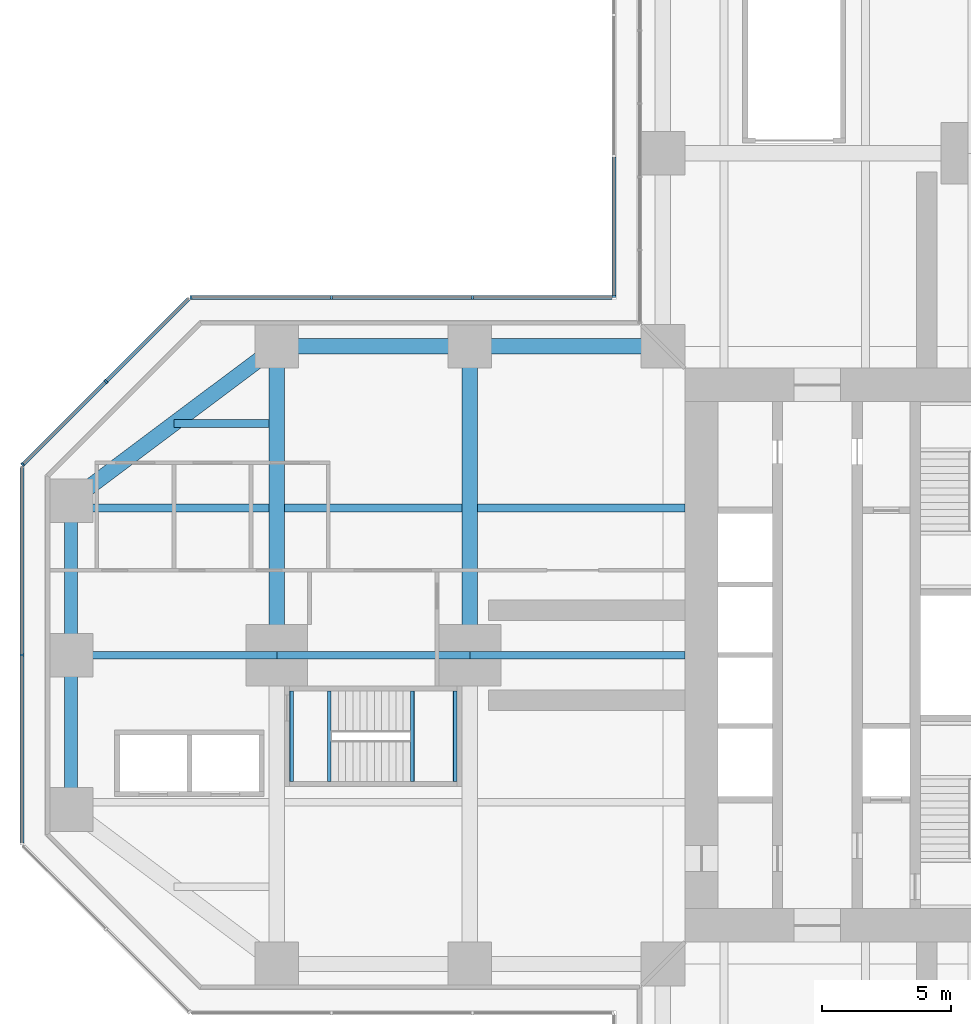
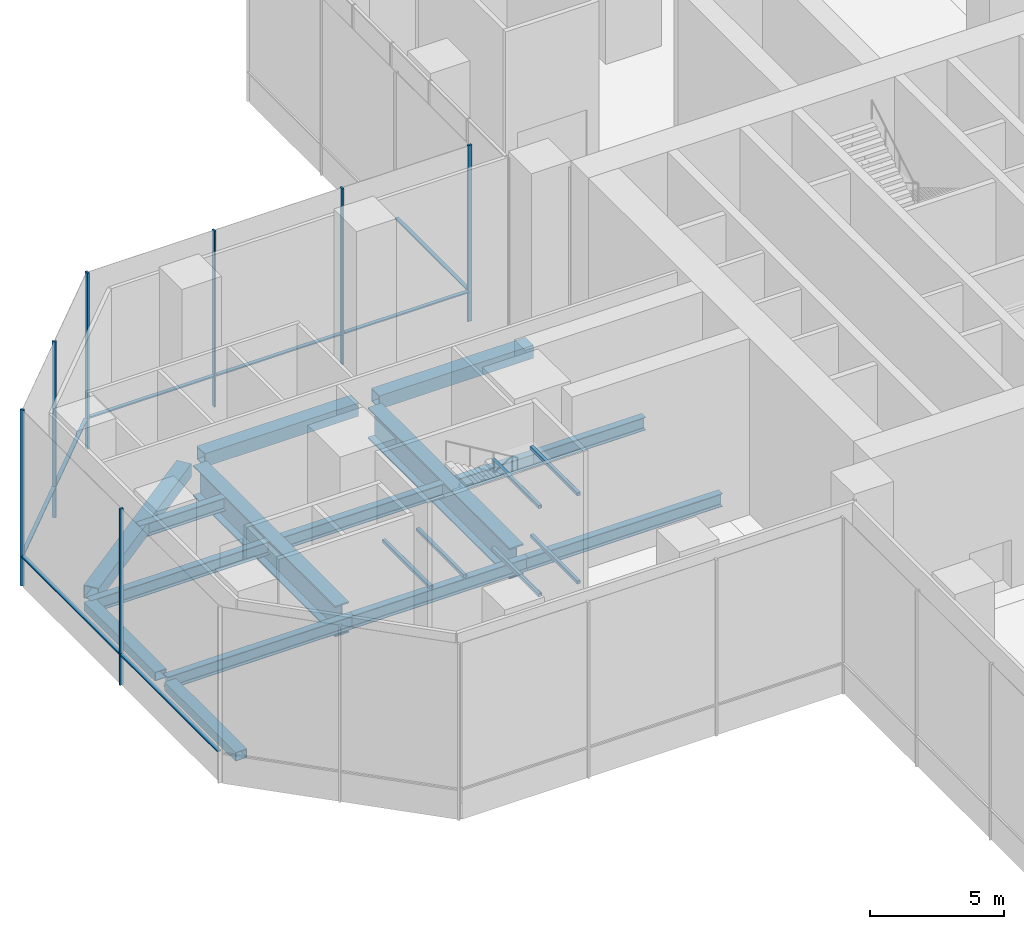
# One storey, part 7 of 25: 20 beams, 15 members, 4 elements without a shape of their own.
"""IFC4 building model written with IfcOpenShell, lengths in metres."""

from ifc_helpers import new_model, si_unit, direction, frame, origin, origin_2d, place, context, subcontext, project, spatial, rectangle, hollow_rectangle, i_section, extrude, material, material_profile, profile_set, type_object, element, aggregate, save


model = new_model("IFC4")

# Units and contexts
model_context = context("Model", 3, precision=1e-05, world=origin(), true_north=direction((0.0, 1.0)))
body_context = subcontext(model_context, "Body", "Model", "MODEL_VIEW")
ifc_project = project(units=[si_unit("LENGTHUNIT", "METRE"), si_unit("AREAUNIT", "SQUARE_METRE"), si_unit("VOLUMEUNIT", "CUBIC_METRE"), si_unit("PLANEANGLEUNIT", "RADIAN"), si_unit("MASSUNIT", "GRAM", prefix="KILO")], contexts=[model_context])

# Site, building, storey
site_placement = place(None, origin())
site = spatial("IfcSite", under=ifc_project, at=site_placement, CompositionType="ELEMENT")
building_placement = place(site_placement, origin())
building = spatial("IfcBuilding", under=site, at=building_placement, Name="Mizan Broadcast Tower", CompositionType="ELEMENT")
storey_placement = place(building_placement, frame((0.0, 0.0, 15.0)))
storey = spatial("IfcBuildingStorey", under=building, at=storey_placement, Name="L02", CompositionType="ELEMENT", Elevation=15.0)

# Beams
ifc_material_1 = material(Name="Steel S355", Category="steel")
ifc_material_profile_1 = material_profile(ifc_material_1, hollow_rectangle(XDim=0.5, YDim=0.39990234375, WallThickness=0.02490234375, at=origin_2d()), Name="BOX 400x500x25")
ifc_profile_set_1 = profile_set([ifc_material_profile_1], Name="Steel S355")
beam_type_1 = type_object("IfcBeamType", Name="EDGE BEAM BOX 400x500x25", PredefinedType="SPANDREL", material=ifc_profile_set_1)
for number, where, z_axis, x_axis, name in (
    (1, (-35.0, 5.639892578125, -0.449951171875), (0.0, -1.0, 0.0), (1.0, 0.0, 0.0), "Edge beam BOX 400x500x25 L02 west arm"),
    (2, (-35.0, -5.639892578125, -0.449951171875), (0.0, 1.0, 0.0), (-1.0, 0.0, 0.0), "Edge beam BOX 400x500x25 L02 west arm"),
):
    element("IfcBeam", number, at=place(storey_placement, frame(where, z_axis=z_axis, x_axis=x_axis)), inside=storey, type_object=beam_type_1, Name=name, PredefinedType="SPANDREL", context=body_context, shape_type="SweptSolid", body=[
        extrude(hollow_rectangle(XDim=0.5, YDim=0.39990234375, WallThickness=0.02490234375, at=origin_2d()), origin(), (0.0, 0.0, 1.0), 5.27978515625),
    ])
ifc_material_2 = material(Name="Steel S355", Category="steel")
ifc_material_profile_2 = material_profile(ifc_material_2, hollow_rectangle(XDim=0.60009765625, YDim=0.60009765625, WallThickness=0.030029296875, at=origin_2d()), Name="BOX 600x600x30")
ifc_profile_set_2 = profile_set([ifc_material_profile_2], Name="Steel S355")
beam_type_2 = type_object("IfcBeamType", Name="EDGE BEAM BOX 600x600x30", PredefinedType="SPANDREL", material=ifc_profile_set_2)
beam_1_placement = place(storey_placement, frame((-27.47998046875, 11.639892578125, -0.550048828125), z_axis=(-0.800013316712, -0.599982243973, 0.0), x_axis=(0.599982243973, -0.800013316712, 0.0)))
element("IfcBeam", 3, at=beam_1_placement, inside=storey, type_object=beam_type_2, Name="Edge beam BOX 600x600x30 L02 west arm", PredefinedType="SPANDREL", context=body_context, shape_type="SweptSolid", body=[
    extrude(hollow_rectangle(XDim=0.60009765625, YDim=0.60009765625, WallThickness=0.030029296875, at=origin_2d()), origin(), (0.0, 0.0, 1.0), 8.7998046875),
])
ifc_material_3 = material(Name="Steel S355", Category="steel")
ifc_material_profile_3 = material_profile(ifc_material_3, hollow_rectangle(XDim=0.60009765625, YDim=0.60009765625, WallThickness=0.0400390625, at=origin_2d()), Name="BOX 600x600x40")
ifc_profile_set_3 = profile_set([ifc_material_profile_3], Name="Steel S355")
beam_type_3 = type_object("IfcBeamType", Name="EDGE BEAM BOX 600x600x40", PredefinedType="SPANDREL", material=ifc_profile_set_3)
for number, where, z_axis, x_axis, name in (
    (4, (-12.449951171875, 12.0, -0.550048828125), (-1.0, 0.0, 0.0), (0.0, -1.0, 0.0), "Edge beam BOX 600x600x40 L02 west arm"),
    (5, (-19.949951171875, 12.0, -0.550048828125), (-1.0, 0.0, 0.0), (0.0, -1.0, 0.0), "Edge beam BOX 600x600x40 L02 west arm"),
):
    element("IfcBeam", number, at=place(storey_placement, frame(where, z_axis=z_axis, x_axis=x_axis)), inside=storey, type_object=beam_type_3, Name=name, PredefinedType="SPANDREL", context=body_context, shape_type="SweptSolid", body=[
        extrude(hollow_rectangle(XDim=0.60009765625, YDim=0.60009765625, WallThickness=0.0400390625, at=origin_2d()), origin(), (0.0, 0.0, 1.0), 6.60009765625),
    ])
ifc_material_4 = material(Name="Steel S460", Category="steel")
ifc_material_profile_4 = material_profile(ifc_material_4, i_section(OverallWidth=0.60009765625, OverallDepth=1.39990234375, WebThickness=0.02490234375, FlangeThickness=0.06005859375, at=origin_2d()), Name="WPG 1400x600")
ifc_profile_set_4 = profile_set([ifc_material_profile_4], Name="Steel S460")
beam_type_4 = type_object("IfcBeamType", Name="GIRDER WPG 1400x600", PredefinedType="BEAM", material=ifc_profile_set_4)
for number, where, z_axis, x_axis, name in (
    (6, (-19.5, 11.280029296875, -0.949951171875), (0.0, -1.0, 0.0), (1.0, 0.0, 0.0), "Girder WPG 1400x600 L02 west arm"),
    (7, (-27.0, 11.280029296875, -0.949951171875), (0.0, -1.0, 0.0), (1.0, 0.0, 0.0), "Girder WPG 1400x600 L02 west arm"),
):
    element("IfcBeam", number, at=place(storey_placement, frame(where, z_axis=z_axis, x_axis=x_axis)), inside=storey, type_object=beam_type_4, Name=name, PredefinedType="BEAM", context=body_context, shape_type="SweptSolid", body=[
        extrude(i_section(OverallWidth=0.60009765625, OverallDepth=1.39990234375, WebThickness=0.02490234375, FlangeThickness=0.06005859375, at=origin_2d()), origin(), (0.0, 0.0, 1.0), 10.56005859375),
    ])
ifc_material_5 = material(Name="Steel S355", Category="steel")
ifc_material_profile_5 = material_profile(ifc_material_5, hollow_rectangle(XDim=0.14990234375, YDim=0.14990234375, WallThickness=0.008056640625, InnerFilletRadius=0.008056640625, OuterFilletRadius=0.011962890625, at=origin_2d()), Name="SHS 150x150x8")
ifc_profile_set_5 = profile_set([ifc_material_profile_5], Name="Steel S355")
beam_type_5 = type_object("IfcBeamType", Name="LANDING TRIMMER SHS 150x150x8", PredefinedType="BEAM", material=ifc_profile_set_5)
for number, where, z_axis, x_axis, name in (
    (8, (-21.735107421875, -1.39990234375, 1.72509765625), (0.0, -1.0, 0.0), (1.0, 0.0, 0.0), "Stair D landing trimmer L02"),
    (9, (-20.074951171875, -1.39990234375, 1.72509765625), (0.0, -1.0, 0.0), (1.0, 0.0, 0.0), "Stair D landing trimmer L02"),
    (10, (-26.425048828125, -1.39990234375, 3.72509765625), (0.0, -1.0, 0.0), (1.0, 0.0, 0.0), "Stair D landing trimmer L02"),
    (11, (-24.965087890625, -1.39990234375, 3.72509765625), (0.0, -1.0, 0.0), (1.0, 0.0, 0.0), "Stair D landing trimmer L02"),
    (12, (-21.735107421875, -1.39990234375, 5.72509765625), (0.0, -1.0, 0.0), (1.0, 0.0, 0.0), "Stair D landing trimmer L02"),
    (13, (-20.074951171875, -1.39990234375, 5.72509765625), (0.0, -1.0, 0.0), (1.0, 0.0, 0.0), "Stair D landing trimmer L02"),
):
    element("IfcBeam", number, at=place(storey_placement, frame(where, z_axis=z_axis, x_axis=x_axis)), inside=storey, type_object=beam_type_5, Name=name, PredefinedType="BEAM", context=body_context, shape_type="SweptSolid", body=[
        extrude(hollow_rectangle(XDim=0.14990234375, YDim=0.14990234375, WallThickness=0.008056640625, InnerFilletRadius=0.008056640625, OuterFilletRadius=0.011962890625, at=origin_2d()), origin(), (0.0, 0.0, 1.0), 3.5),
    ])

# Curtain wall, member
ifc_material_6 = material(Name="Aluminium framed glazing", Category="aluminium")
curtain_wall_type = type_object("IfcCurtainWallType", Name="OUTER SKIN", PredefinedType="USERDEFINED", material=ifc_material_6)
curtain_wall_1_placement = place(storey_placement, origin())
curtain_wall_1 = element("IfcCurtainWall", 14, at=curtain_wall_1_placement, inside=storey, type_object=curtain_wall_type, Name="Outer skin L02 N side", ObjectType="OUTER SKIN", PredefinedType="USERDEFINED")
ifc_material_7 = material(Name="Aluminium, pale anodised", Category="aluminium")
ifc_material_profile_6 = material_profile(ifc_material_7, rectangle(XDim=0.159912109375, YDim=0.080078125, at=origin_2d()), Name="MULLION 160x80")
ifc_profile_set_6 = profile_set([ifc_material_profile_6], Name="Aluminium, pale anodised")
member_type_1 = type_object("IfcMemberType", Name="OUTER SKIN MULLION 80x160", PredefinedType="MULLION", material=ifc_profile_set_6)
member_1_placement = place(storey_placement, frame((-13.89990234375, 13.93994140625, 0.0), z_axis=(0.0, 0.0, 1.0), x_axis=(1.0, 0.0, 0.0)))
member_1 = element("IfcMember", 15, at=member_1_placement, type_object=member_type_1, Name="Outer skin L02 N side mullion 4", PredefinedType="MULLION", context=body_context, shape_type="SweptSolid", body=[
    extrude(rectangle(XDim=0.159912109375, YDim=0.080078125, at=origin_2d()), origin(), (0.0, 0.0, 1.0), 8.0),
])

# Curtain wall, members
curtain_wall_2_placement = place(storey_placement, origin())
curtain_wall_2 = element("IfcCurtainWall", 16, at=curtain_wall_2_placement, inside=storey, type_object=curtain_wall_type, Name="Outer skin L02 W side", ObjectType="OUTER SKIN", PredefinedType="USERDEFINED")
member_2_placement = place(storey_placement, frame((-19.390869140625, 13.89990234375, 0.0), z_axis=(0.0, 0.0, 1.0), x_axis=(0.0, -1.0, 0.0)))
member_2 = element("IfcMember", 17, at=member_2_placement, type_object=member_type_1, Name="Outer skin L02 W side mullion 2", PredefinedType="MULLION", context=body_context, shape_type="SweptSolid", body=[
    extrude(rectangle(XDim=0.159912109375, YDim=0.080078125, at=origin_2d()), origin(), (0.0, 0.0, 1.0), 8.0),
])
member_3_placement = place(storey_placement, frame((-24.8818359375, 13.89990234375, 0.0), z_axis=(0.0, 0.0, 1.0), x_axis=(0.0, -1.0, 0.0)))
member_3 = element("IfcMember", 18, at=member_3_placement, type_object=member_type_1, Name="Outer skin L02 W side mullion 3", PredefinedType="MULLION", context=body_context, shape_type="SweptSolid", body=[
    extrude(rectangle(XDim=0.159912109375, YDim=0.080078125, at=origin_2d()), origin(), (0.0, 0.0, 1.0), 8.0),
])
member_4_placement = place(storey_placement, frame((-30.332763671875, 13.89990234375, 0.0), z_axis=(0.0, 0.0, 1.0), x_axis=(0.0, -1.0, 0.0)))
member_4 = element("IfcMember", 19, at=member_4_placement, type_object=member_type_1, Name="Outer skin L02 W side mullion 4", PredefinedType="MULLION", context=body_context, shape_type="SweptSolid", body=[
    extrude(rectangle(XDim=0.159912109375, YDim=0.080078125, at=origin_2d()), origin(), (0.0, 0.0, 1.0), 8.0),
])

curtain_wall_3_placement = place(storey_placement, origin())
curtain_wall_3 = element("IfcCurtainWall", 20, at=curtain_wall_3_placement, inside=storey, type_object=curtain_wall_type, Name="Outer skin L02 W chamfer", ObjectType="OUTER SKIN", PredefinedType="USERDEFINED")
member_5_placement = place(storey_placement, frame((-33.636474609375, 10.636474609375, 0.0), z_axis=(0.0, 0.0, 1.0), x_axis=(0.707106781187, -0.707106781187, 0.0)))
member_5 = element("IfcMember", 21, at=member_5_placement, type_object=member_type_1, Name="Outer skin L02 W chamfer mullion 2", PredefinedType="MULLION", context=body_context, shape_type="SweptSolid", body=[
    extrude(rectangle(XDim=0.159912109375, YDim=0.080078125, at=origin_2d()), origin(), (0.0, 0.0, 1.0), 8.0),
])
member_6_placement = place(storey_placement, frame((-36.871826171875, 7.401123046875, 0.0), z_axis=(0.0, 0.0, 1.0), x_axis=(0.707106781187, -0.707106781187, 0.0)))
member_6 = element("IfcMember", 22, at=member_6_placement, type_object=member_type_1, Name="Outer skin L02 W chamfer mullion 3", PredefinedType="MULLION", context=body_context, shape_type="SweptSolid", body=[
    extrude(rectangle(XDim=0.159912109375, YDim=0.080078125, at=origin_2d()), origin(), (0.0, 0.0, 1.0), 8.0),
])

# Curtain wall, member
curtain_wall_4_placement = place(storey_placement, origin())
curtain_wall_4 = element("IfcCurtainWall", 23, at=curtain_wall_4_placement, inside=storey, type_object=curtain_wall_type, Name="Outer skin L02 W end", ObjectType="OUTER SKIN", PredefinedType="USERDEFINED")
member_7_placement = place(storey_placement, frame((-36.89990234375, 0.0, 0.0), z_axis=(0.0, 0.0, 1.0), x_axis=(1.0, 0.0, 0.0)))
member_7 = element("IfcMember", 24, at=member_7_placement, type_object=member_type_1, Name="Outer skin L02 W end mullion 2", PredefinedType="MULLION", context=body_context, shape_type="SweptSolid", body=[
    extrude(rectangle(XDim=0.159912109375, YDim=0.080078125, at=origin_2d()), origin(), (0.0, 0.0, 1.0), 8.0),
])

# Member
ifc_material_8 = material(Name="Aluminium, pale anodised", Category="aluminium")
ifc_material_profile_7 = material_profile(ifc_material_8, rectangle(XDim=0.159912109375, YDim=0.06005859375, at=origin_2d()), Name="TRANSOM 160x60")
ifc_profile_set_7 = profile_set([ifc_material_profile_7], Name="Aluminium, pale anodised")
member_type_2 = type_object("IfcMemberType", Name="OUTER SKIN TRANSOM 60x160", PredefinedType="USERDEFINED", material=ifc_profile_set_7)
member_8_placement = place(storey_placement, frame((-13.89990234375, 19.350830078125, 1.39990234375), z_axis=(0.0, -1.0, 0.0), x_axis=(1.0, 0.0, 0.0)))
member_8 = element("IfcMember", 25, at=member_8_placement, type_object=member_type_2, Name="Outer skin L02 N side transom 3.1", ObjectType="TRANSOM", PredefinedType="USERDEFINED", context=body_context, shape_type="SweptSolid", body=[
    extrude(rectangle(XDim=0.159912109375, YDim=0.06005859375, at=origin_2d()), origin(), (0.0, 0.0, 1.0), 5.370849609375),
])

aggregate(curtain_wall_1, [member_1, member_8])

member_9_placement = place(storey_placement, frame((-13.97998046875, 13.89990234375, 1.39990234375), z_axis=(-1.0, 0.0, 0.0), x_axis=(0.0, -1.0, 0.0)))
member_9 = element("IfcMember", 26, at=member_9_placement, type_object=member_type_2, Name="Outer skin L02 W side transom 1.1", ObjectType="TRANSOM", PredefinedType="USERDEFINED", context=body_context, shape_type="SweptSolid", body=[
    extrude(rectangle(XDim=0.159912109375, YDim=0.06005859375, at=origin_2d()), origin(), (0.0, 0.0, 1.0), 5.370849609375),
])

member_10_placement = place(storey_placement, frame((-19.430908203125, 13.89990234375, 1.39990234375), z_axis=(-1.0, 0.0, 0.0), x_axis=(0.0, -1.0, 0.0)))
member_10 = element("IfcMember", 27, at=member_10_placement, type_object=member_type_2, Name="Outer skin L02 W side transom 2.1", ObjectType="TRANSOM", PredefinedType="USERDEFINED", context=body_context, shape_type="SweptSolid", body=[
    extrude(rectangle(XDim=0.159912109375, YDim=0.06005859375, at=origin_2d()), origin(), (0.0, 0.0, 1.0), 5.410888671875),
])

member_11_placement = place(storey_placement, frame((-24.921875, 13.89990234375, 1.39990234375), z_axis=(-1.0, 0.0, 0.0), x_axis=(0.0, -1.0, 0.0)))
member_11 = element("IfcMember", 28, at=member_11_placement, type_object=member_type_2, Name="Outer skin L02 W side transom 3.1", ObjectType="TRANSOM", PredefinedType="USERDEFINED", context=body_context, shape_type="SweptSolid", body=[
    extrude(rectangle(XDim=0.159912109375, YDim=0.06005859375, at=origin_2d()), origin(), (0.0, 0.0, 1.0), 5.370849609375),
])

aggregate(curtain_wall_2, [member_2, member_3, member_4, member_9, member_10, member_11])

member_12_placement = place(storey_placement, frame((-30.429443359375, 13.843505859375, 1.39990234375), z_axis=(-0.707106781187, -0.707106781187, 0.0), x_axis=(0.707106781187, -0.707106781187, 0.0)))
member_12 = element("IfcMember", 29, at=member_12_placement, type_object=member_type_2, Name="Outer skin L02 W chamfer transom 1.1", ObjectType="TRANSOM", PredefinedType="USERDEFINED", context=body_context, shape_type="SweptSolid", body=[
    extrude(rectangle(XDim=0.159912109375, YDim=0.06005859375, at=origin_2d()), origin(), (0.0, 0.0, 1.0), 4.495361328125),
])

member_13_placement = place(storey_placement, frame((-33.664794921875, 10.608154296875, 1.39990234375), z_axis=(-0.707106781187, -0.707106781187, 0.0), x_axis=(0.707106781187, -0.707106781187, 0.0)))
member_13 = element("IfcMember", 30, at=member_13_placement, type_object=member_type_2, Name="Outer skin L02 W chamfer transom 2.1", ObjectType="TRANSOM", PredefinedType="USERDEFINED", context=body_context, shape_type="SweptSolid", body=[
    extrude(rectangle(XDim=0.159912109375, YDim=0.06005859375, at=origin_2d()), origin(), (0.0, 0.0, 1.0), 4.495361328125),
])

aggregate(curtain_wall_3, [member_5, member_6, member_12, member_13])

member_14_placement = place(storey_placement, frame((-36.89990234375, 7.292724609375, 1.39990234375), z_axis=(0.0, -1.0, 0.0), x_axis=(1.0, 0.0, 0.0)))
member_14 = element("IfcMember", 31, at=member_14_placement, type_object=member_type_2, Name="Outer skin L02 W end transom 1.1", ObjectType="TRANSOM", PredefinedType="USERDEFINED", context=body_context, shape_type="SweptSolid", body=[
    extrude(rectangle(XDim=0.159912109375, YDim=0.06005859375, at=origin_2d()), origin(), (0.0, 0.0, 1.0), 7.252685546875),
])

member_15_placement = place(storey_placement, frame((-36.89990234375, -0.0400390625, 1.39990234375), z_axis=(0.0, -1.0, 0.0), x_axis=(1.0, 0.0, 0.0)))
member_15 = element("IfcMember", 32, at=member_15_placement, type_object=member_type_2, Name="Outer skin L02 W end transom 2.1", ObjectType="TRANSOM", PredefinedType="USERDEFINED", context=body_context, shape_type="SweptSolid", body=[
    extrude(rectangle(XDim=0.159912109375, YDim=0.06005859375, at=origin_2d()), origin(), (0.0, 0.0, 1.0), 7.252685546875),
])

aggregate(curtain_wall_4, [member_7, member_14, member_15])

# Beams
ifc_material_9 = material(Name="Steel S355", Category="steel")
ifc_material_profile_8 = material_profile(ifc_material_9, i_section(OverallWidth=0.300048828125, OverallDepth=0.590087890625, WebThickness=0.012939453125, FlangeThickness=0.02490234375, FilletRadius=0.027099609375, at=origin_2d()), Name="HEA 600")
ifc_profile_set_8 = profile_set([ifc_material_profile_8], Name="Steel S355")
beam_type_6 = type_object("IfcBeamType", Name="SECONDARY BEAM HEA 600", PredefinedType="JOIST", material=ifc_profile_set_8)
beam_2_placement = place(storey_placement, frame((-11.14990234375, 5.71435546875, -0.544921875), z_axis=(-1.0, 0.0, 0.0), x_axis=(0.0, -1.0, 0.0)))
element("IfcBeam", 33, at=beam_2_placement, inside=storey, type_object=beam_type_6, Name="Secondary beam HEA 600 L02 west arm", PredefinedType="JOIST", context=body_context, shape_type="SweptSolid", body=[
    extrude(i_section(OverallWidth=0.300048828125, OverallDepth=0.590087890625, WebThickness=0.012939453125, FlangeThickness=0.02490234375, FilletRadius=0.027099609375, at=origin_2d()), origin(), (0.0, 0.0, 1.0), 8.050048828125),
])
beam_3_placement = place(storey_placement, frame((-19.800048828125, 5.71435546875, -0.544921875), z_axis=(-1.0, 0.0, 0.0), x_axis=(0.0, -1.0, 0.0)))
element("IfcBeam", 34, at=beam_3_placement, inside=storey, type_object=beam_type_6, Name="Secondary beam HEA 600 L02 west arm", PredefinedType="JOIST", context=body_context, shape_type="SweptSolid", body=[
    extrude(i_section(OverallWidth=0.300048828125, OverallDepth=0.590087890625, WebThickness=0.012939453125, FlangeThickness=0.02490234375, FilletRadius=0.027099609375, at=origin_2d()), origin(), (0.0, 0.0, 1.0), 6.89990234375),
])
beam_4_placement = place(storey_placement, frame((-27.300048828125, 5.71435546875, -0.544921875), z_axis=(-1.0, 0.0, 0.0), x_axis=(0.0, -1.0, 0.0)))
element("IfcBeam", 35, at=beam_4_placement, inside=storey, type_object=beam_type_6, Name="Secondary beam HEA 600 L02 west arm", PredefinedType="JOIST", context=body_context, shape_type="SweptSolid", body=[
    extrude(i_section(OverallWidth=0.300048828125, OverallDepth=0.590087890625, WebThickness=0.012939453125, FlangeThickness=0.02490234375, FilletRadius=0.027099609375, at=origin_2d()), origin(), (0.0, 0.0, 1.0), 7.699951171875),
])
beam_5_placement = place(storey_placement, frame((-27.300048828125, 9.0, -0.544921875), z_axis=(-1.0, 0.0, 0.0), x_axis=(0.0, -1.0, 0.0)))
element("IfcBeam", 36, at=beam_5_placement, inside=storey, type_object=beam_type_6, Name="Secondary beam HEA 600 L02 west arm", PredefinedType="JOIST", context=body_context, shape_type="SweptSolid", body=[
    extrude(i_section(OverallWidth=0.300048828125, OverallDepth=0.590087890625, WebThickness=0.012939453125, FlangeThickness=0.02490234375, FilletRadius=0.027099609375, at=origin_2d()), origin(), (0.0, 0.0, 1.0), 3.699951171875),
])
beam_6_placement = place(storey_placement, frame((-11.14990234375, 0.0, -0.544921875), z_axis=(-1.0, 0.0, 0.0), x_axis=(0.0, -1.0, 0.0)))
element("IfcBeam", 37, at=beam_6_placement, inside=storey, type_object=beam_type_6, Name="Secondary beam HEA 600 L02 west arm", PredefinedType="JOIST", context=body_context, shape_type="SweptSolid", body=[
    extrude(i_section(OverallWidth=0.300048828125, OverallDepth=0.590087890625, WebThickness=0.012939453125, FlangeThickness=0.02490234375, FilletRadius=0.027099609375, at=origin_2d()), origin(), (0.0, 0.0, 1.0), 8.35009765625),
])
beam_7_placement = place(storey_placement, frame((-19.5, 0.0, -0.544921875), z_axis=(-1.0, 0.0, 0.0), x_axis=(0.0, -1.0, 0.0)))
element("IfcBeam", 38, at=beam_7_placement, inside=storey, type_object=beam_type_6, Name="Secondary beam HEA 600 L02 west arm", PredefinedType="JOIST", context=body_context, shape_type="SweptSolid", body=[
    extrude(i_section(OverallWidth=0.300048828125, OverallDepth=0.590087890625, WebThickness=0.012939453125, FlangeThickness=0.02490234375, FilletRadius=0.027099609375, at=origin_2d()), origin(), (0.0, 0.0, 1.0), 7.5),
])
beam_8_placement = place(storey_placement, frame((-27.0, 0.0, -0.544921875), z_axis=(-1.0, 0.0, 0.0), x_axis=(0.0, -1.0, 0.0)))
element("IfcBeam", 39, at=beam_8_placement, inside=storey, type_object=beam_type_6, Name="Secondary beam HEA 600 L02 west arm", PredefinedType="JOIST", context=body_context, shape_type="SweptSolid", body=[
    extrude(i_section(OverallWidth=0.300048828125, OverallDepth=0.590087890625, WebThickness=0.012939453125, FlangeThickness=0.02490234375, FilletRadius=0.027099609375, at=origin_2d()), origin(), (0.0, 0.0, 1.0), 8.0),
])

save(model, "model.ifc")
